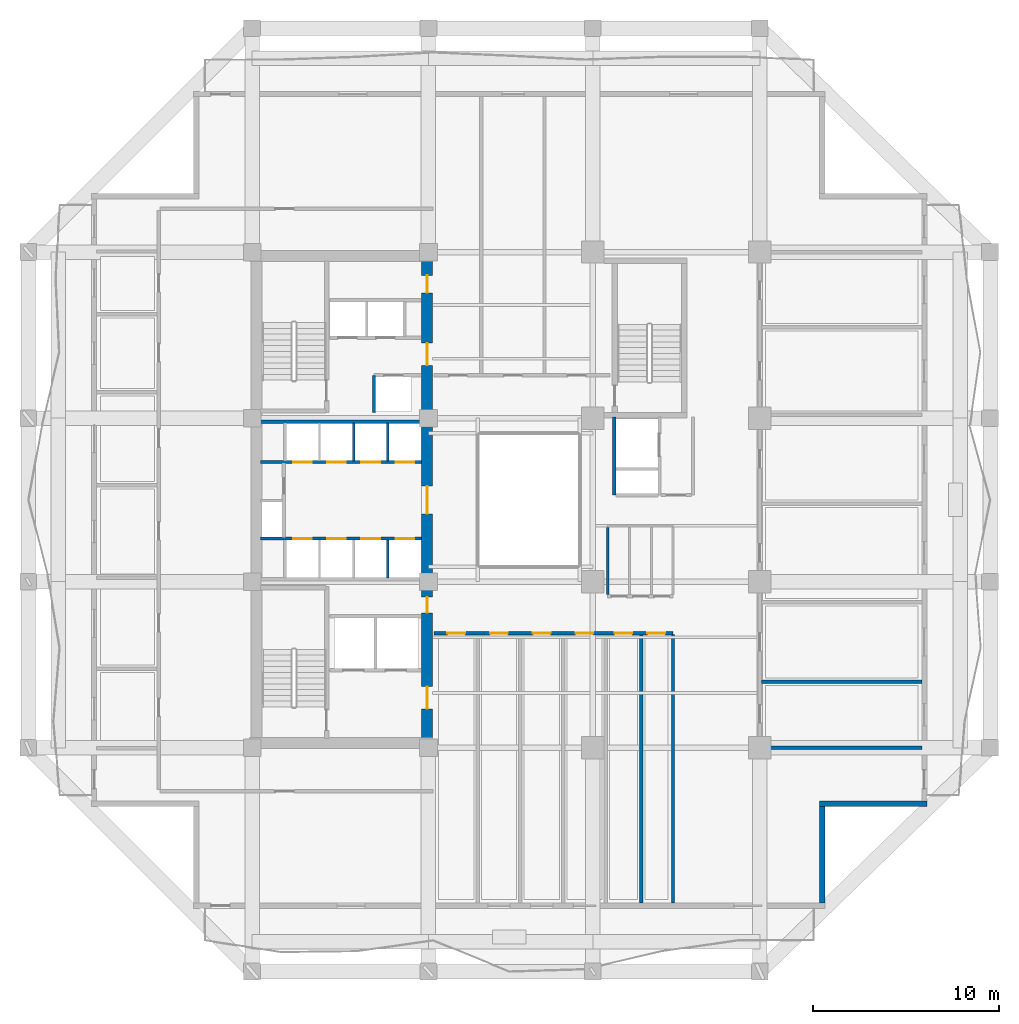
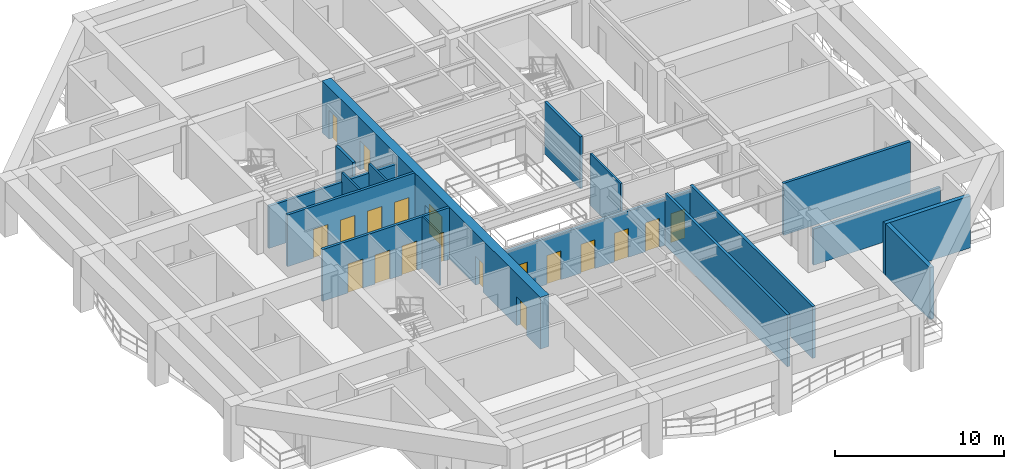
# One storey, part 4 of 13: 19 doors, 17 walls, 19 openings.
"""IFC4 building model written with IfcOpenShell, lengths in metres."""

from ifc_helpers import new_model, si_unit, direction, frame, frame_2d, origin, place, context, subcontext, project, spatial, rectangle, extrude, material, layer, layer_set, type_object, element, fill, save


model = new_model("IFC4")

# Units and contexts
model_context = context("Model", 3, precision=1e-05, world=origin(), true_north=direction((0.0, 1.0)))
body_context = subcontext(model_context, "Body", "Model", "MODEL_VIEW")
ifc_project = project(units=[si_unit("LENGTHUNIT", "METRE"), si_unit("AREAUNIT", "SQUARE_METRE"), si_unit("VOLUMEUNIT", "CUBIC_METRE"), si_unit("PLANEANGLEUNIT", "RADIAN"), si_unit("MASSUNIT", "GRAM", prefix="KILO")], contexts=[model_context])

# Site, building, storey
site_placement = place(None, origin())
site = spatial("IfcSite", under=ifc_project, at=site_placement, CompositionType="ELEMENT")
building_placement = place(site_placement, origin())
building = spatial("IfcBuilding", under=site, at=building_placement, Name="Kundavana Baori Tower", CompositionType="ELEMENT")
storey_placement = place(building_placement, frame((0.0, 0.0, 78.0)))
storey = spatial("IfcBuildingStorey", under=building, at=storey_placement, Name="L18", CompositionType="ELEMENT", Elevation=78.0)

# Wall, openings, doors
ifc_material_1 = material(Name="Concrete C60/75", Category="concrete")
ifc_layer_1 = layer(ifc_material_1, 0.60009765625, Name="WL-CORE-600")
ifc_layer_set_1 = layer_set([ifc_layer_1], Name="Concrete C60/75")
wall_type_1 = type_object("IfcWallType", Name="WL-CORE-600", PredefinedType="SHEAR", material=ifc_layer_set_1)
wall_1_placement = place(storey_placement, frame((24.8798828125, 15.739990234375, 0.0), z_axis=(0.0, 0.0, 1.0), x_axis=(0.0, 1.0, 0.0)))
wall_1 = element("IfcWall", 1, at=wall_1_placement, inside=storey, type_object=wall_type_1, Name="L18 Offset Core East Shear Wall", PredefinedType="SHEAR", context=body_context, shape_type="SweptSolid", body=[
    extrude(rectangle(XDim=25.760009765625, YDim=0.60009765625, at=frame_2d((12.8798828125, 0.0))), origin(), (0.0, 0.0, 1.0), 3.739990234375),
])
opening_1_placement = place(wall_1_placement, frame((1.610107421875, 0.0, 0.0)))
opening_1 = element("IfcOpeningElement", 2, at=opening_1_placement, cuts=wall_1, Name="Opening FD-120", PredefinedType="OPENING", context=body_context, shape_type="SweptSolid", body=[
    extrude(rectangle(XDim=1.199951171875, YDim=2.10009765625, at=frame_2d((0.60009765625, 1.050048828125))), frame((0.0, 0.31005859375, 0.0), z_axis=(0.0, -1.0, 0.0), x_axis=(1.0, 0.0, 0.0)), (0.0, 0.0, 1.0), 0.6201171875),
])
opening_2_placement = place(wall_1_placement, frame((6.780029296875, 0.0, 0.0)))
opening_2 = element("IfcOpeningElement", 3, at=opening_2_placement, cuts=wall_1, Name="Opening FD-085", PredefinedType="OPENING", context=body_context, shape_type="SweptSolid", body=[
    extrude(rectangle(XDim=0.85009765625, YDim=2.06005859375, at=frame_2d((0.425048828125, 1.030029296875))), frame((0.0, 0.31005859375, 0.0), z_axis=(0.0, -1.0, 0.0), x_axis=(1.0, 0.0, 0.0)), (0.0, 0.0, 1.0), 0.6201171875),
])
opening_3_placement = place(wall_1_placement, frame((12.110107421875, 0.0, 0.0)))
opening_3 = element("IfcOpeningElement", 4, at=opening_3_placement, cuts=wall_1, Name="Opening FD-150", PredefinedType="OPENING", context=body_context, shape_type="SweptSolid", body=[
    extrude(rectangle(XDim=1.5, YDim=2.1201171875, at=frame_2d((0.75, 1.06005859375))), frame((0.0, 0.31005859375, 0.0), z_axis=(0.0, -1.0, 0.0), x_axis=(1.0, 0.0, 0.0)), (0.0, 0.0, 1.0), 0.6201171875),
])
opening_4_placement = place(wall_1_placement, frame((20.110107421875, 0.0, 0.0)))
opening_4 = element("IfcOpeningElement", 5, at=opening_4_placement, cuts=wall_1, Name="Opening FD-122", PredefinedType="OPENING", context=body_context, shape_type="SweptSolid", body=[
    extrude(rectangle(XDim=1.199951171875, YDim=2.1201171875, at=frame_2d((0.60009765625, 1.06005859375))), frame((0.0, 0.31005859375, 0.0), z_axis=(0.0, -1.0, 0.0), x_axis=(1.0, 0.0, 0.0)), (0.0, 0.0, 1.0), 0.6201171875),
])
opening_5_placement = place(wall_1_placement, frame((24.010009765625, 0.0, 0.0)))
opening_5 = element("IfcOpeningElement", 6, at=opening_5_placement, cuts=wall_1, Name="Opening FD-095", PredefinedType="OPENING", context=body_context, shape_type="SweptSolid", body=[
    extrude(rectangle(XDim=0.949951171875, YDim=2.10009765625, at=frame_2d((0.47509765625, 1.050048828125))), frame((0.0, 0.31005859375, 0.0), z_axis=(0.0, -1.0, 0.0), x_axis=(1.0, 0.0, 0.0)), (0.0, 0.0, 1.0), 0.6201171875),
])
ifc_material_2 = material(Name="Galvanised Steel Fire-Rated Door Leaf", Category="steel")
door_type_1 = type_object("IfcDoorType", Name="DR-FD120-1200", OperationType="NOTDEFINED", PredefinedType="DOOR", material=ifc_material_2)
door_1_placement = place(opening_1_placement, frame((1.199951171875, 0.0, 0.0), z_axis=(0.0, 0.0, 1.0), x_axis=(-1.0, 0.0, 0.0)))
door_1 = element("IfcDoor", 7, at=door_1_placement, inside=storey, type_object=door_type_1, Name="DR-L18-FFLOB-E", OperationType="SINGLE_SWING_RIGHT", OverallHeight=2.10009765625, OverallWidth=1.199951171875, PredefinedType="DOOR", context=body_context, shape_type="SweptSolid", body=[
    extrude(rectangle(XDim=1.199951171875, YDim=2.10009765625, at=frame_2d((0.60009765625, 1.050048828125))), frame((0.0, 0.02490234375, 0.0), z_axis=(0.0, -1.0, 0.0), x_axis=(1.0, 0.0, 0.0)), (0.0, 0.0, 1.0), 0.050048828125),
])
fill(opening_1, door_1)
ifc_material_3 = material(Name="Galvanised Steel Fire-Rated Door Leaf", Category="steel")
door_type_2 = type_object("IfcDoorType", Name="DR-FD60-1200", OperationType="NOTDEFINED", PredefinedType="DOOR", material=ifc_material_3)
door_2_placement = place(opening_4_placement, frame((1.199951171875, 0.0, 0.0), z_axis=(0.0, 0.0, 1.0), x_axis=(-1.0, 0.0, 0.0)))
door_2 = element("IfcDoor", 8, at=door_2_placement, inside=storey, type_object=door_type_2, Name="DR-L18-HRLOB-E", OperationType="SINGLE_SWING_RIGHT", OverallHeight=2.1201171875, OverallWidth=1.199951171875, PredefinedType="DOOR", context=body_context, shape_type="SweptSolid", body=[
    extrude(rectangle(XDim=1.199951171875, YDim=2.1201171875, at=frame_2d((0.60009765625, 1.06005859375))), frame((0.0, 0.02490234375, 0.0), z_axis=(0.0, -1.0, 0.0), x_axis=(1.0, 0.0, 0.0)), (0.0, 0.0, 1.0), 0.050048828125),
])
fill(opening_4, door_2)
ifc_material_4 = material(Name="Galvanised Steel Fire-Rated Door Leaf", Category="steel")
door_type_3 = type_object("IfcDoorType", Name="DR-FD60-1500", OperationType="NOTDEFINED", PredefinedType="DOOR", material=ifc_material_4)
door_3_placement = place(opening_3_placement, frame((1.5, 0.0, 0.0), z_axis=(0.0, 0.0, 1.0), x_axis=(-1.0, 0.0, 0.0)))
door_3 = element("IfcDoor", 9, at=door_3_placement, inside=storey, type_object=door_type_3, Name="DR-L18-LIFTHALL-E", OperationType="SINGLE_SWING_LEFT", OverallHeight=2.1201171875, OverallWidth=1.5, PredefinedType="DOOR", context=body_context, shape_type="SweptSolid", body=[
    extrude(rectangle(XDim=1.5, YDim=2.1201171875, at=frame_2d((0.75, 1.06005859375))), frame((0.0, 0.02490234375, 0.0), z_axis=(0.0, -1.0, 0.0), x_axis=(1.0, 0.0, 0.0)), (0.0, 0.0, 1.0), 0.050048828125),
])
fill(opening_3, door_3)
ifc_material_5 = material(Name="Galvanised Steel Fire-Rated Door Leaf", Category="steel")
door_type_4 = type_object("IfcDoorType", Name="DR-FD60-850", OperationType="NOTDEFINED", PredefinedType="DOOR", material=ifc_material_5)
door_4_placement = place(opening_2_placement, frame((0.85009765625, 0.0, 0.0), z_axis=(0.0, 0.0, 1.0), x_axis=(-1.0, 0.0, 0.0)))
door_4 = element("IfcDoor", 10, at=door_4_placement, inside=storey, type_object=door_type_4, Name="DR-L18-CSMK1", OperationType="SINGLE_SWING_LEFT", OverallHeight=2.06005859375, OverallWidth=0.85009765625, PredefinedType="DOOR", context=body_context, shape_type="SweptSolid", body=[
    extrude(rectangle(XDim=0.85009765625, YDim=2.06005859375, at=frame_2d((0.425048828125, 1.030029296875))), frame((0.0, 0.02490234375, 0.0), z_axis=(0.0, -1.0, 0.0), x_axis=(1.0, 0.0, 0.0)), (0.0, 0.0, 1.0), 0.050048828125),
])
fill(opening_2, door_4)
ifc_material_6 = material(Name="Engineered Teak Fire-Rated Timber Door Leaf", Category="wood")
door_type_5 = type_object("IfcDoorType", Name="DR-FD60-950", OperationType="NOTDEFINED", PredefinedType="DOOR", material=ifc_material_6)
door_5_placement = place(opening_5_placement, frame((0.949951171875, 0.0, 0.0), z_axis=(0.0, 0.0, 1.0), x_axis=(-1.0, 0.0, 0.0)))
door_5 = element("IfcDoor", 11, at=door_5_placement, inside=storey, type_object=door_type_5, Name="DR-L18-CSRV1", OperationType="SINGLE_SWING_LEFT", OverallHeight=2.10009765625, OverallWidth=0.949951171875, PredefinedType="DOOR", context=body_context, shape_type="SweptSolid", body=[
    extrude(rectangle(XDim=0.949951171875, YDim=2.10009765625, at=frame_2d((0.47509765625, 1.050048828125))), frame((0.0, 0.02490234375, 0.0), z_axis=(0.0, -1.0, 0.0), x_axis=(1.0, 0.0, 0.0)), (0.0, 0.0, 1.0), 0.050048828125),
])
fill(opening_5, door_5)

# Walls
ifc_material_7 = material(Name="Red-Buff Dholpur Sandstone Cladding on Concrete C40/50", Category="masonry")
ifc_layer_2 = layer(ifc_material_7, 0.280029296875, Name="WL-EXT-SAND-280")
ifc_layer_set_2 = layer_set([ifc_layer_2], Name="Red-Buff Dholpur Sandstone Cladding on Concrete C40/50")
wall_type_2 = type_object("IfcWallType", Name="WL-EXT-SAND-280", PredefinedType="STANDARD", material=ifc_layer_set_2)
wall_2_placement = place(storey_placement, frame((46.159912109375, 6.8798828125, 0.0), z_axis=(0.0, 0.0, 1.0), x_axis=(0.0, 1.0, 0.0)))
element("IfcWall", 12, at=wall_2_placement, inside=storey, type_object=wall_type_2, Name="L18 Exterior Insulated Facade Wall 02", PredefinedType="STANDARD", context=body_context, shape_type="SweptSolid", body=[
    extrude(rectangle(XDim=5.22021484375, YDim=0.280029296875, at=frame_2d((2.610107421875, 0.0))), origin(), (0.0, 0.0, 1.0), 3.739990234375),
])
wall_3_placement = place(storey_placement, frame((46.02001953125, 12.239990234375, 0.0), z_axis=(0.0, 0.0, 1.0), x_axis=(1.0, 0.0, 0.0)))
element("IfcWall", 13, at=wall_3_placement, inside=storey, type_object=wall_type_2, Name="L18 Exterior Insulated Facade Wall 03", PredefinedType="STANDARD", context=body_context, shape_type="SweptSolid", body=[
    extrude(rectangle(XDim=5.780029296875, YDim=0.280029296875, at=frame_2d((2.89013671875, 0.0))), origin(), (0.0, 0.0, 1.0), 3.739990234375),
])
ifc_material_8 = material(Name="Acoustic Gypsum Plasterboard on Galvanised Steel Studs", Category="steel")
ifc_layer_3 = layer(ifc_material_8, 0.1201171875, Name="WL-PART-120")
ifc_layer_set_3 = layer_set([ifc_layer_3], Name="Acoustic Gypsum Plasterboard on Galvanised Steel Studs")
wall_type_3 = type_object("IfcWallType", Name="WL-PART-120", PredefinedType="PARTITIONING", material=ifc_layer_set_3)
for number, where, z_axis, x_axis, name in (
    (14, (22.760009765625, 24.39990234375, 0.0), (0.0, 0.0, 1.0), (0.0, 1.0, 0.0), "WL-L18-LPLOW-D3"),
    (15, (20.919921875, 30.699951171875, 0.0), (0.0, 0.0, 1.0), (0.0, 1.0, 0.0), "WL-L18-LPMID-D2"),
    (16, (22.760009765625, 30.699951171875, 0.0), (0.0, 0.0, 1.0), (0.0, 1.0, 0.0), "WL-L18-LPMID-D3"),
):
    element("IfcWall", number, at=place(storey_placement, frame(where, z_axis=z_axis, x_axis=x_axis)), inside=storey, type_object=wall_type_3, Name=name, PredefinedType="PARTITIONING", context=body_context, shape_type="SweptSolid", body=[
        extrude(rectangle(XDim=2.050048828125, YDim=0.1201171875, at=frame_2d((1.02490234375, 0.0))), origin(), (0.0, 0.0, 1.0), 3.739990234375),
    ])

# Wall, openings, doors
ifc_material_9 = material(Name="Autoclaved Aerated Concrete Blockwork Masonry", Category="masonry")
ifc_layer_4 = layer(ifc_material_9, 0.18505859375, Name="WL-PART-180")
ifc_layer_set_4 = layer_set([ifc_layer_4], Name="Autoclaved Aerated Concrete Blockwork Masonry")
wall_type_4 = type_object("IfcWallType", Name="WL-PART-180", PredefinedType="SOLIDWALL", material=ifc_layer_set_4)
wall_4_placement = place(storey_placement, frame((25.25, 21.419921875, 0.0), z_axis=(0.0, 0.0, 1.0), x_axis=(1.0, 0.0, 0.0)))
wall_4 = element("IfcWall", 17, at=wall_4_placement, inside=storey, type_object=wall_type_4, Name="WL-L18-OFS", PredefinedType="SOLIDWALL", context=body_context, shape_type="SweptSolid", body=[
    extrude(rectangle(XDim=12.8701171875, YDim=0.18505859375, at=frame_2d((6.43505859375, 0.0))), origin(), (0.0, 0.0, 1.0), 3.340087890625),
])
opening_6_placement = place(wall_4_placement, frame((0.72509765625, 0.0, 0.0)))
opening_6 = element("IfcOpeningElement", 18, at=opening_6_placement, cuts=wall_4, Name="Opening ID-095", PredefinedType="OPENING", context=body_context, shape_type="SweptSolid", body=[
    extrude(rectangle(XDim=0.949951171875, YDim=2.080078125, at=frame_2d((0.47509765625, 1.0400390625))), frame((0.0, 0.1025390625, 0.0), z_axis=(0.0, -1.0, 0.0), x_axis=(1.0, 0.0, 0.0)), (0.0, 0.0, 1.0), 0.205078125),
])
opening_7_placement = place(wall_4_placement, frame((3.02490234375, 0.0, 0.0)))
opening_7 = element("IfcOpeningElement", 19, at=opening_7_placement, cuts=wall_4, Name="Opening ID-095", PredefinedType="OPENING", context=body_context, shape_type="SweptSolid", body=[
    extrude(rectangle(XDim=0.949951171875, YDim=2.080078125, at=frame_2d((0.47509765625, 1.0400390625))), frame((0.0, 0.1025390625, 0.0), z_axis=(0.0, -1.0, 0.0), x_axis=(1.0, 0.0, 0.0)), (0.0, 0.0, 1.0), 0.205078125),
])
opening_8_placement = place(wall_4_placement, frame((5.324951171875, 0.0, 0.0)))
opening_8 = element("IfcOpeningElement", 20, at=opening_8_placement, cuts=wall_4, Name="Opening ID-095", PredefinedType="OPENING", context=body_context, shape_type="SweptSolid", body=[
    extrude(rectangle(XDim=0.949951171875, YDim=2.080078125, at=frame_2d((0.47509765625, 1.0400390625))), frame((0.0, 0.1025390625, 0.0), z_axis=(0.0, -1.0, 0.0), x_axis=(1.0, 0.0, 0.0)), (0.0, 0.0, 1.0), 0.205078125),
])
opening_9_placement = place(wall_4_placement, frame((7.625, 0.0, 0.0)))
opening_9 = element("IfcOpeningElement", 21, at=opening_9_placement, cuts=wall_4, Name="Opening ID-095", PredefinedType="OPENING", context=body_context, shape_type="SweptSolid", body=[
    extrude(rectangle(XDim=0.949951171875, YDim=2.080078125, at=frame_2d((0.47509765625, 1.0400390625))), frame((0.0, 0.1025390625, 0.0), z_axis=(0.0, -1.0, 0.0), x_axis=(1.0, 0.0, 0.0)), (0.0, 0.0, 1.0), 0.205078125),
])
opening_10_placement = place(wall_4_placement, frame((9.72509765625, 0.0, 0.0)))
opening_10 = element("IfcOpeningElement", 22, at=opening_10_placement, cuts=wall_4, Name="Opening ID-095", PredefinedType="OPENING", context=body_context, shape_type="SweptSolid", body=[
    extrude(rectangle(XDim=0.949951171875, YDim=2.080078125, at=frame_2d((0.47509765625, 1.0400390625))), frame((0.0, 0.1025390625, 0.0), z_axis=(0.0, -1.0, 0.0), x_axis=(1.0, 0.0, 0.0)), (0.0, 0.0, 1.0), 0.205078125),
])
opening_11_placement = place(wall_4_placement, frame((11.4951171875, 0.0, 0.0)))
opening_11 = element("IfcOpeningElement", 23, at=opening_11_placement, cuts=wall_4, Name="Opening ID-095", PredefinedType="OPENING", context=body_context, shape_type="SweptSolid", body=[
    extrude(rectangle(XDim=0.949951171875, YDim=2.080078125, at=frame_2d((0.47509765625, 1.0400390625))), frame((0.0, 0.1025390625, 0.0), z_axis=(0.0, -1.0, 0.0), x_axis=(1.0, 0.0, 0.0)), (0.0, 0.0, 1.0), 0.205078125),
])
ifc_material_10 = material(Name="Engineered Teak Solid-Core Timber Veneer", Category="wood")
door_type_6 = type_object("IfcDoorType", Name="DR-INT-950", OperationType="NOTDEFINED", PredefinedType="DOOR", material=ifc_material_10)
door_6_placement = place(opening_6_placement, frame((0.949951171875, 0.0, 0.0), z_axis=(0.0, 0.0, 1.0), x_axis=(-1.0, 0.0, 0.0)))
door_6 = element("IfcDoor", 24, at=door_6_placement, inside=storey, type_object=door_type_6, Name="DR-L18-OFS1", OperationType="SINGLE_SWING_LEFT", OverallHeight=2.080078125, OverallWidth=0.949951171875, PredefinedType="DOOR", context=body_context, shape_type="SweptSolid", body=[
    extrude(rectangle(XDim=0.949951171875, YDim=2.080078125, at=frame_2d((0.47509765625, 1.0400390625))), frame((0.0, 0.02490234375, 0.0), z_axis=(0.0, -1.0, 0.0), x_axis=(1.0, 0.0, 0.0)), (0.0, 0.0, 1.0), 0.050048828125),
])
fill(opening_6, door_6)
door_7_placement = place(opening_7_placement, frame((0.949951171875, 0.0, 0.0), z_axis=(0.0, 0.0, 1.0), x_axis=(-1.0, 0.0, 0.0)))
door_7 = element("IfcDoor", 25, at=door_7_placement, inside=storey, type_object=door_type_6, Name="DR-L18-OFS2", OperationType="SINGLE_SWING_RIGHT", OverallHeight=2.080078125, OverallWidth=0.949951171875, PredefinedType="DOOR", context=body_context, shape_type="SweptSolid", body=[
    extrude(rectangle(XDim=0.949951171875, YDim=2.080078125, at=frame_2d((0.47509765625, 1.0400390625))), frame((0.0, 0.02490234375, 0.0), z_axis=(0.0, -1.0, 0.0), x_axis=(1.0, 0.0, 0.0)), (0.0, 0.0, 1.0), 0.050048828125),
])
fill(opening_7, door_7)
door_8_placement = place(opening_8_placement, frame((0.949951171875, 0.0, 0.0), z_axis=(0.0, 0.0, 1.0), x_axis=(-1.0, 0.0, 0.0)))
door_8 = element("IfcDoor", 26, at=door_8_placement, inside=storey, type_object=door_type_6, Name="DR-L18-OFS3", OperationType="SINGLE_SWING_LEFT", OverallHeight=2.080078125, OverallWidth=0.949951171875, PredefinedType="DOOR", context=body_context, shape_type="SweptSolid", body=[
    extrude(rectangle(XDim=0.949951171875, YDim=2.080078125, at=frame_2d((0.47509765625, 1.0400390625))), frame((0.0, 0.02490234375, 0.0), z_axis=(0.0, -1.0, 0.0), x_axis=(1.0, 0.0, 0.0)), (0.0, 0.0, 1.0), 0.050048828125),
])
fill(opening_8, door_8)
door_9_placement = place(opening_9_placement, frame((0.949951171875, 0.0, 0.0), z_axis=(0.0, 0.0, 1.0), x_axis=(-1.0, 0.0, 0.0)))
door_9 = element("IfcDoor", 27, at=door_9_placement, inside=storey, type_object=door_type_6, Name="DR-L18-OFS4", OperationType="SINGLE_SWING_RIGHT", OverallHeight=2.080078125, OverallWidth=0.949951171875, PredefinedType="DOOR", context=body_context, shape_type="SweptSolid", body=[
    extrude(rectangle(XDim=0.949951171875, YDim=2.080078125, at=frame_2d((0.47509765625, 1.0400390625))), frame((0.0, 0.02490234375, 0.0), z_axis=(0.0, -1.0, 0.0), x_axis=(1.0, 0.0, 0.0)), (0.0, 0.0, 1.0), 0.050048828125),
])
fill(opening_9, door_9)
door_10_placement = place(opening_10_placement, frame((0.949951171875, 0.0, 0.0), z_axis=(0.0, 0.0, 1.0), x_axis=(-1.0, 0.0, 0.0)))
door_10 = element("IfcDoor", 28, at=door_10_placement, inside=storey, type_object=door_type_6, Name="DR-L18-OFS5", OperationType="SINGLE_SWING_LEFT", OverallHeight=2.080078125, OverallWidth=0.949951171875, PredefinedType="DOOR", context=body_context, shape_type="SweptSolid", body=[
    extrude(rectangle(XDim=0.949951171875, YDim=2.080078125, at=frame_2d((0.47509765625, 1.0400390625))), frame((0.0, 0.02490234375, 0.0), z_axis=(0.0, -1.0, 0.0), x_axis=(1.0, 0.0, 0.0)), (0.0, 0.0, 1.0), 0.050048828125),
])
fill(opening_10, door_10)
door_11_placement = place(opening_11_placement, frame((0.949951171875, 0.0, 0.0), z_axis=(0.0, 0.0, 1.0), x_axis=(-1.0, 0.0, 0.0)))
door_11 = element("IfcDoor", 29, at=door_11_placement, inside=storey, type_object=door_type_6, Name="DR-L18-OFS6", OperationType="SINGLE_SWING_RIGHT", OverallHeight=2.080078125, OverallWidth=0.949951171875, PredefinedType="DOOR", context=body_context, shape_type="SweptSolid", body=[
    extrude(rectangle(XDim=0.949951171875, YDim=2.080078125, at=frame_2d((0.47509765625, 1.0400390625))), frame((0.0, 0.02490234375, 0.0), z_axis=(0.0, -1.0, 0.0), x_axis=(1.0, 0.0, 0.0)), (0.0, 0.0, 1.0), 0.050048828125),
])
fill(opening_11, door_11)

# Walls
wall_5_placement = place(storey_placement, frame((38.1201171875, 6.8798828125, 0.0), z_axis=(0.0, 0.0, 1.0), x_axis=(0.0, 1.0, 0.0)))
element("IfcWall", 30, at=wall_5_placement, inside=storey, type_object=wall_type_4, Name="WL-L18-OFSEND", PredefinedType="SOLIDWALL", context=body_context, shape_type="SweptSolid", body=[
    extrude(rectangle(XDim=14.460205078125, YDim=0.18505859375, at=frame_2d((7.22998046875, 0.0))), origin(), (0.0, 0.0, 1.0), 3.739990234375),
])
wall_6_placement = place(storey_placement, frame((42.8798828125, 15.25, 0.0), z_axis=(0.0, 0.0, 1.0), x_axis=(1.0, 0.0, 0.0)))
element("IfcWall", 31, at=wall_6_placement, inside=storey, type_object=wall_type_4, Name="WL-L18-OFES", PredefinedType="SOLIDWALL", context=body_context, shape_type="SweptSolid", body=[
    extrude(rectangle(XDim=8.64013671875, YDim=0.18505859375, at=frame_2d((4.320068359375, 0.0))), origin(), (0.0, 0.0, 1.0), 2.60009765625),
])
wall_7_placement = place(storey_placement, frame((36.39990234375, 6.8798828125, 0.0), z_axis=(0.0, 0.0, 1.0), x_axis=(0.0, 1.0, 0.0)))
element("IfcWall", 32, at=wall_7_placement, inside=storey, type_object=wall_type_4, Name="WL-L18-SD5", PredefinedType="SOLIDWALL", context=body_context, shape_type="SweptSolid", body=[
    extrude(rectangle(XDim=14.460205078125, YDim=0.18505859375, at=frame_2d((7.22998046875, 0.0))), origin(), (0.0, 0.0, 1.0), 3.739990234375),
])
wall_8_placement = place(storey_placement, frame((42.8798828125, 18.800048828125, 0.0), z_axis=(0.0, 0.0, 1.0), x_axis=(1.0, 0.0, 0.0)))
element("IfcWall", 33, at=wall_8_placement, inside=storey, type_object=wall_type_4, Name="WL-L18-ED1", PredefinedType="SOLIDWALL", context=body_context, shape_type="SweptSolid", body=[
    extrude(rectangle(XDim=8.64013671875, YDim=0.18505859375, at=frame_2d((4.320068359375, 0.0))), origin(), (0.0, 0.0, 1.0), 3.739990234375),
])

# Wall, openings, doors
ifc_material_11 = material(Name="Autoclaved Aerated Concrete Blockwork Masonry", Category="masonry")
ifc_layer_5 = layer(ifc_material_11, 0.179931640625, Name="WL-SHAFT-180")
ifc_layer_set_5 = layer_set([ifc_layer_5], Name="Autoclaved Aerated Concrete Blockwork Masonry")
wall_type_5 = type_object("IfcWallType", Name="WL-SHAFT-180", PredefinedType="SOLIDWALL", material=ifc_layer_set_5)
wall_9_placement = place(storey_placement, frame((15.89990234375, 26.52001953125, 0.0), z_axis=(0.0, 0.0, 1.0), x_axis=(1.0, 0.0, 0.0)))
wall_9 = element("IfcWall", 34, at=wall_9_placement, inside=storey, type_object=wall_type_5, Name="WL-L18-LPLOW-N", PredefinedType="SOLIDWALL", context=body_context, shape_type="SweptSolid", body=[
    extrude(rectangle(XDim=8.68017578125, YDim=0.179931640625, at=frame_2d((4.340087890625, 0.0))), origin(), (0.0, 0.0, 1.0), 3.739990234375),
])
opening_12_placement = place(wall_9_placement, frame((1.760009765625, 0.0, 0.0)))
opening_12 = element("IfcOpeningElement", 35, at=opening_12_placement, cuts=wall_9, Name="Opening LD-100", PredefinedType="OPENING", context=body_context, shape_type="SweptSolid", body=[
    extrude(rectangle(XDim=1.0, YDim=2.10009765625, at=frame_2d((0.5, 1.050048828125))), frame((0.0, 0.10009765625, 0.0), z_axis=(0.0, -1.0, 0.0), x_axis=(1.0, 0.0, 0.0)), (0.0, 0.0, 1.0), 0.199951171875),
])
opening_13_placement = place(wall_9_placement, frame((3.60009765625, 0.0, 0.0)))
opening_13 = element("IfcOpeningElement", 36, at=opening_13_placement, cuts=wall_9, Name="Opening LD-100", PredefinedType="OPENING", context=body_context, shape_type="SweptSolid", body=[
    extrude(rectangle(XDim=1.0, YDim=2.10009765625, at=frame_2d((0.5, 1.050048828125))), frame((0.0, 0.10009765625, 0.0), z_axis=(0.0, -1.0, 0.0), x_axis=(1.0, 0.0, 0.0)), (0.0, 0.0, 1.0), 0.199951171875),
])
opening_14_placement = place(wall_9_placement, frame((5.43994140625, 0.0, 0.0)))
opening_14 = element("IfcOpeningElement", 37, at=opening_14_placement, cuts=wall_9, Name="Opening LD-100", PredefinedType="OPENING", context=body_context, shape_type="SweptSolid", body=[
    extrude(rectangle(XDim=1.0, YDim=2.10009765625, at=frame_2d((0.5, 1.050048828125))), frame((0.0, 0.10009765625, 0.0), z_axis=(0.0, -1.0, 0.0), x_axis=(1.0, 0.0, 0.0)), (0.0, 0.0, 1.0), 0.199951171875),
])
opening_15_placement = place(wall_9_placement, frame((7.280029296875, 0.0, 0.0)))
opening_15 = element("IfcOpeningElement", 38, at=opening_15_placement, cuts=wall_9, Name="Opening LD-100", PredefinedType="OPENING", context=body_context, shape_type="SweptSolid", body=[
    extrude(rectangle(XDim=1.0, YDim=2.10009765625, at=frame_2d((0.5, 1.050048828125))), frame((0.0, 0.10009765625, 0.0), z_axis=(0.0, -1.0, 0.0), x_axis=(1.0, 0.0, 0.0)), (0.0, 0.0, 1.0), 0.199951171875),
])
ifc_material_12 = material(Name="Galvanised Steel Fire-Rated Door Leaf", Category="steel")
door_type_7 = type_object("IfcDoorType", Name="DR-SLIDE-LD1000", OperationType="NOTDEFINED", PredefinedType="DOOR", material=ifc_material_12)
door_12_placement = place(opening_12_placement, origin())
door_12 = element("IfcDoor", 39, at=door_12_placement, inside=storey, type_object=door_type_7, Name="DR-L18-LD-LP-01", OperationType="DOUBLE_DOOR_SLIDING", OverallHeight=2.10009765625, OverallWidth=1.0, PredefinedType="DOOR", context=body_context, shape_type="SweptSolid", body=[
    extrude(rectangle(XDim=1.0, YDim=2.10009765625, at=frame_2d((0.5, 1.050048828125))), frame((0.0, 0.02490234375, 0.0), z_axis=(0.0, -1.0, 0.0), x_axis=(1.0, 0.0, 0.0)), (0.0, 0.0, 1.0), 0.050048828125),
])
fill(opening_12, door_12)
door_13_placement = place(opening_13_placement, origin())
door_13 = element("IfcDoor", 40, at=door_13_placement, inside=storey, type_object=door_type_7, Name="DR-L18-LD-LP-02", OperationType="DOUBLE_DOOR_SLIDING", OverallHeight=2.10009765625, OverallWidth=1.0, PredefinedType="DOOR", context=body_context, shape_type="SweptSolid", body=[
    extrude(rectangle(XDim=1.0, YDim=2.10009765625, at=frame_2d((0.5, 1.050048828125))), frame((0.0, 0.02490234375, 0.0), z_axis=(0.0, -1.0, 0.0), x_axis=(1.0, 0.0, 0.0)), (0.0, 0.0, 1.0), 0.050048828125),
])
fill(opening_13, door_13)
door_14_placement = place(opening_14_placement, origin())
door_14 = element("IfcDoor", 41, at=door_14_placement, inside=storey, type_object=door_type_7, Name="DR-L18-LD-LP-03", OperationType="DOUBLE_DOOR_SLIDING", OverallHeight=2.10009765625, OverallWidth=1.0, PredefinedType="DOOR", context=body_context, shape_type="SweptSolid", body=[
    extrude(rectangle(XDim=1.0, YDim=2.10009765625, at=frame_2d((0.5, 1.050048828125))), frame((0.0, 0.02490234375, 0.0), z_axis=(0.0, -1.0, 0.0), x_axis=(1.0, 0.0, 0.0)), (0.0, 0.0, 1.0), 0.050048828125),
])
fill(opening_14, door_14)
door_15_placement = place(opening_15_placement, origin())
door_15 = element("IfcDoor", 42, at=door_15_placement, inside=storey, type_object=door_type_7, Name="DR-L18-LD-LP-04", OperationType="DOUBLE_DOOR_SLIDING", OverallHeight=2.10009765625, OverallWidth=1.0, PredefinedType="DOOR", context=body_context, shape_type="SweptSolid", body=[
    extrude(rectangle(XDim=1.0, YDim=2.10009765625, at=frame_2d((0.5, 1.050048828125))), frame((0.0, 0.02490234375, 0.0), z_axis=(0.0, -1.0, 0.0), x_axis=(1.0, 0.0, 0.0)), (0.0, 0.0, 1.0), 0.050048828125),
])
fill(opening_15, door_15)

wall_10_placement = place(storey_placement, frame((15.89990234375, 30.639892578125, 0.0), z_axis=(0.0, 0.0, 1.0), x_axis=(1.0, 0.0, 0.0)))
wall_10 = element("IfcWall", 43, at=wall_10_placement, inside=storey, type_object=wall_type_5, Name="WL-L18-LPMID-S", PredefinedType="SOLIDWALL", context=body_context, shape_type="SweptSolid", body=[
    extrude(rectangle(XDim=8.68017578125, YDim=0.179931640625, at=frame_2d((4.340087890625, 0.0))), origin(), (0.0, 0.0, 1.0), 3.739990234375),
])
opening_16_placement = place(wall_10_placement, frame((1.760009765625, 0.0, 0.0)))
opening_16 = element("IfcOpeningElement", 44, at=opening_16_placement, cuts=wall_10, Name="Opening LD-100", PredefinedType="OPENING", context=body_context, shape_type="SweptSolid", body=[
    extrude(rectangle(XDim=1.0, YDim=2.10009765625, at=frame_2d((0.5, 1.050048828125))), frame((0.0, 0.10009765625, 0.0), z_axis=(0.0, -1.0, 0.0), x_axis=(1.0, 0.0, 0.0)), (0.0, 0.0, 1.0), 0.199951171875),
])
opening_17_placement = place(wall_10_placement, frame((3.60009765625, 0.0, 0.0)))
opening_17 = element("IfcOpeningElement", 45, at=opening_17_placement, cuts=wall_10, Name="Opening LD-100", PredefinedType="OPENING", context=body_context, shape_type="SweptSolid", body=[
    extrude(rectangle(XDim=1.0, YDim=2.10009765625, at=frame_2d((0.5, 1.050048828125))), frame((0.0, 0.10009765625, 0.0), z_axis=(0.0, -1.0, 0.0), x_axis=(1.0, 0.0, 0.0)), (0.0, 0.0, 1.0), 0.199951171875),
])
opening_18_placement = place(wall_10_placement, frame((5.43994140625, 0.0, 0.0)))
opening_18 = element("IfcOpeningElement", 46, at=opening_18_placement, cuts=wall_10, Name="Opening LD-100", PredefinedType="OPENING", context=body_context, shape_type="SweptSolid", body=[
    extrude(rectangle(XDim=1.0, YDim=2.10009765625, at=frame_2d((0.5, 1.050048828125))), frame((0.0, 0.10009765625, 0.0), z_axis=(0.0, -1.0, 0.0), x_axis=(1.0, 0.0, 0.0)), (0.0, 0.0, 1.0), 0.199951171875),
])
opening_19_placement = place(wall_10_placement, frame((7.280029296875, 0.0, 0.0)))
opening_19 = element("IfcOpeningElement", 47, at=opening_19_placement, cuts=wall_10, Name="Opening LD-100", PredefinedType="OPENING", context=body_context, shape_type="SweptSolid", body=[
    extrude(rectangle(XDim=1.0, YDim=2.10009765625, at=frame_2d((0.5, 1.050048828125))), frame((0.0, 0.10009765625, 0.0), z_axis=(0.0, -1.0, 0.0), x_axis=(1.0, 0.0, 0.0)), (0.0, 0.0, 1.0), 0.199951171875),
])
door_16_placement = place(opening_16_placement, frame((1.0, 0.0, 0.0), z_axis=(0.0, 0.0, 1.0), x_axis=(-1.0, 0.0, 0.0)))
door_16 = element("IfcDoor", 48, at=door_16_placement, inside=storey, type_object=door_type_7, Name="DR-L18-LD-LP-05", OperationType="DOUBLE_DOOR_SLIDING", OverallHeight=2.10009765625, OverallWidth=1.0, PredefinedType="DOOR", context=body_context, shape_type="SweptSolid", body=[
    extrude(rectangle(XDim=1.0, YDim=2.10009765625, at=frame_2d((0.5, 1.050048828125))), frame((0.0, 0.02490234375, 0.0), z_axis=(0.0, -1.0, 0.0), x_axis=(1.0, 0.0, 0.0)), (0.0, 0.0, 1.0), 0.050048828125),
])
fill(opening_16, door_16)
door_17_placement = place(opening_17_placement, frame((1.0, 0.0, 0.0), z_axis=(0.0, 0.0, 1.0), x_axis=(-1.0, 0.0, 0.0)))
door_17 = element("IfcDoor", 49, at=door_17_placement, inside=storey, type_object=door_type_7, Name="DR-L18-LD-LP-06", OperationType="DOUBLE_DOOR_SLIDING", OverallHeight=2.10009765625, OverallWidth=1.0, PredefinedType="DOOR", context=body_context, shape_type="SweptSolid", body=[
    extrude(rectangle(XDim=1.0, YDim=2.10009765625, at=frame_2d((0.5, 1.050048828125))), frame((0.0, 0.02490234375, 0.0), z_axis=(0.0, -1.0, 0.0), x_axis=(1.0, 0.0, 0.0)), (0.0, 0.0, 1.0), 0.050048828125),
])
fill(opening_17, door_17)
door_18_placement = place(opening_18_placement, frame((1.0, 0.0, 0.0), z_axis=(0.0, 0.0, 1.0), x_axis=(-1.0, 0.0, 0.0)))
door_18 = element("IfcDoor", 50, at=door_18_placement, inside=storey, type_object=door_type_7, Name="DR-L18-LD-LP-07", OperationType="DOUBLE_DOOR_SLIDING", OverallHeight=2.10009765625, OverallWidth=1.0, PredefinedType="DOOR", context=body_context, shape_type="SweptSolid", body=[
    extrude(rectangle(XDim=1.0, YDim=2.10009765625, at=frame_2d((0.5, 1.050048828125))), frame((0.0, 0.02490234375, 0.0), z_axis=(0.0, -1.0, 0.0), x_axis=(1.0, 0.0, 0.0)), (0.0, 0.0, 1.0), 0.050048828125),
])
fill(opening_18, door_18)
door_19_placement = place(opening_19_placement, frame((1.0, 0.0, 0.0), z_axis=(0.0, 0.0, 1.0), x_axis=(-1.0, 0.0, 0.0)))
door_19 = element("IfcDoor", 51, at=door_19_placement, inside=storey, type_object=door_type_7, Name="DR-L18-LD-LP-08", OperationType="DOUBLE_DOOR_SLIDING", OverallHeight=2.10009765625, OverallWidth=1.0, PredefinedType="DOOR", context=body_context, shape_type="SweptSolid", body=[
    extrude(rectangle(XDim=1.0, YDim=2.10009765625, at=frame_2d((0.5, 1.050048828125))), frame((0.0, 0.02490234375, 0.0), z_axis=(0.0, -1.0, 0.0), x_axis=(1.0, 0.0, 0.0)), (0.0, 0.0, 1.0), 0.050048828125),
])
fill(opening_19, door_19)

# Walls
wall_11_placement = place(storey_placement, frame((15.89990234375, 32.820068359375, 0.0), z_axis=(0.0, 0.0, 1.0), x_axis=(1.0, 0.0, 0.0)))
element("IfcWall", 52, at=wall_11_placement, inside=storey, type_object=wall_type_5, Name="WL-L18-LPMID-N", PredefinedType="SOLIDWALL", context=body_context, shape_type="SweptSolid", body=[
    extrude(rectangle(XDim=8.68017578125, YDim=0.179931640625, at=frame_2d((4.340087890625, 0.0))), origin(), (0.0, 0.0, 1.0), 3.0400390625),
])
wall_12_placement = place(storey_placement, frame((22.02001953125, 33.300048828125, 0.0), z_axis=(0.0, 0.0, 1.0), x_axis=(0.0, 1.0, 0.0)))
element("IfcWall", 53, at=wall_12_placement, inside=storey, type_object=wall_type_5, Name="WL-L18-LP11-W", PredefinedType="SOLIDWALL", context=body_context, shape_type="SweptSolid", body=[
    extrude(rectangle(XDim=2.010009765625, YDim=0.179931640625, at=frame_2d((1.0048828125, 0.0))), origin(), (0.0, 0.0, 1.0), 3.739990234375),
])
wall_13_placement = place(storey_placement, frame((34.9599609375, 28.860107421875, 0.0), z_axis=(0.0, 0.0, 1.0), x_axis=(0.0, 1.0, 0.0)))
element("IfcWall", 54, at=wall_13_placement, inside=storey, type_object=wall_type_5, Name="WL-L18-SVL-W", PredefinedType="SOLIDWALL", context=body_context, shape_type="SweptSolid", body=[
    extrude(rectangle(XDim=4.219970703125, YDim=0.179931640625, at=frame_2d((2.10986328125, 0.0))), origin(), (0.0, 0.0, 1.0), 3.739990234375),
])
ifc_material_13 = material(Name="Autoclaved Aerated Concrete Blockwork Masonry", Category="masonry")
ifc_layer_6 = layer(ifc_material_13, 0.125, Name="WL-WET-120")
ifc_layer_set_6 = layer_set([ifc_layer_6], Name="Autoclaved Aerated Concrete Blockwork Masonry")
wall_type_6 = type_object("IfcWallType", Name="WL-WET-120", PredefinedType="PLUMBINGWALL", material=ifc_layer_set_6)
wall_14_placement = place(storey_placement, frame((34.60009765625, 23.5, 0.0), z_axis=(0.0, 0.0, 1.0), x_axis=(0.0, 1.0, 0.0)))
element("IfcWall", 55, at=wall_14_placement, inside=storey, type_object=wall_type_6, Name="WL-L18-WCW", PredefinedType="PLUMBINGWALL", context=body_context, shape_type="SweptSolid", body=[
    extrude(rectangle(XDim=3.6201171875, YDim=0.125, at=frame_2d((1.81005859375, 0.0))), origin(), (0.0, 0.0, 1.0), 3.739990234375),
])

save(model, "model.ifc")
